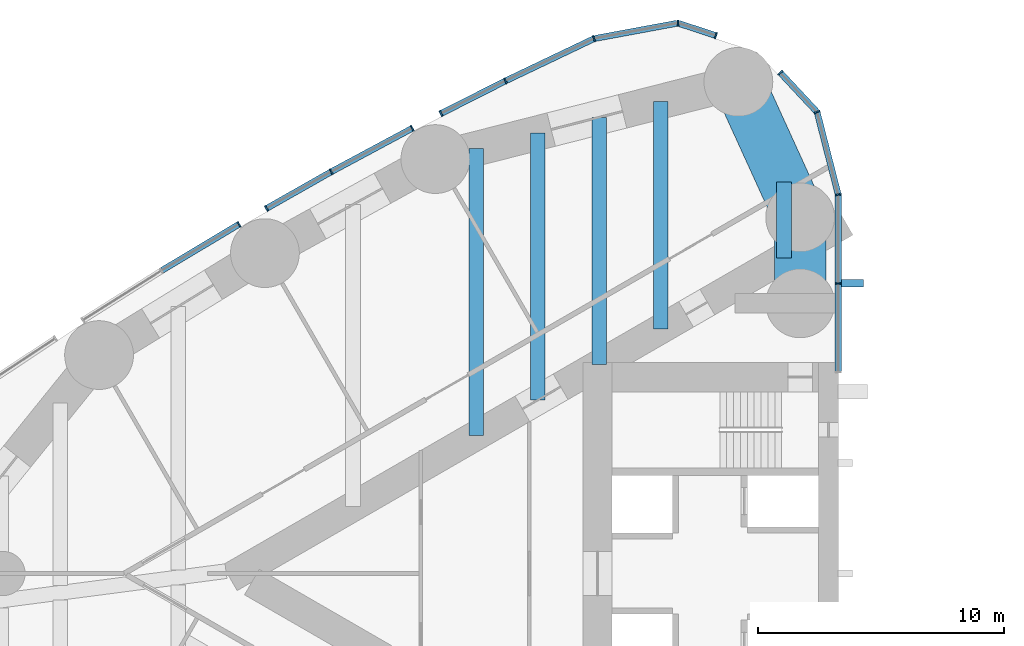
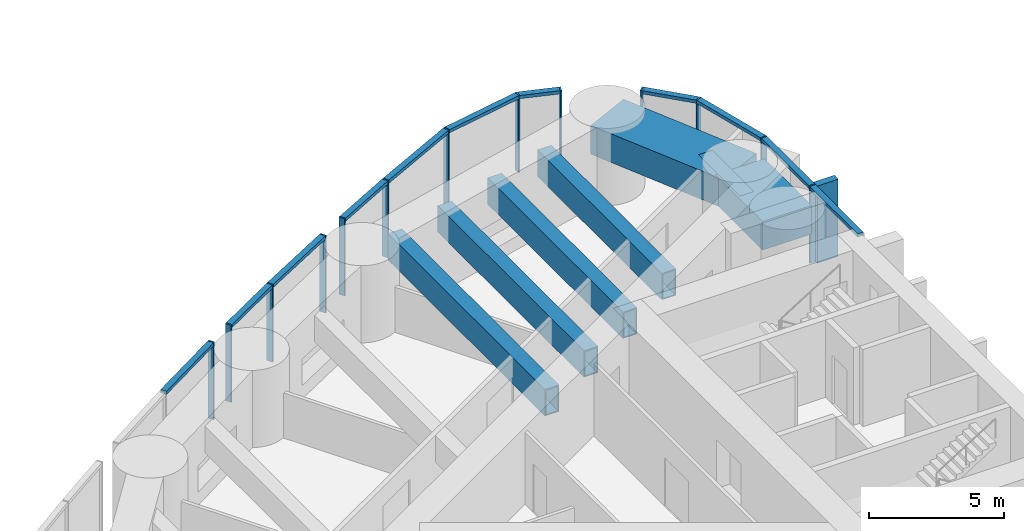
# One storey, part 5 of 17: 25 members, 7 beams, 4 elements without a shape of their own.
"""IFC4 building model written with IfcOpenShell, lengths in metres."""

from ifc_helpers import new_model, si_unit, direction, frame, origin, origin_2d, place, context, subcontext, project, spatial, rectangle, hollow_rectangle, extrude, material, material_profile, profile_set, type_object, element, aggregate, save


model = new_model("IFC4")

# Units and contexts
model_context = context("Model", 3, precision=1e-05, world=origin(), true_north=direction((0.0, 1.0)))
body_context = subcontext(model_context, "Body", "Model", "MODEL_VIEW")
ifc_project = project(units=[si_unit("LENGTHUNIT", "METRE"), si_unit("AREAUNIT", "SQUARE_METRE"), si_unit("VOLUMEUNIT", "CUBIC_METRE"), si_unit("PLANEANGLEUNIT", "RADIAN"), si_unit("MASSUNIT", "GRAM", prefix="KILO")], contexts=[model_context])

# Site, building, storey
site_placement = place(None, origin())
site = spatial("IfcSite", under=ifc_project, at=site_placement, CompositionType="ELEMENT")
building_placement = place(site_placement, origin())
building = spatial("IfcBuilding", under=site, at=building_placement, Name="Lancet Gate Hotel", CompositionType="ELEMENT")
storey_placement = place(building_placement, frame((0.0, 0.0, 201.800048828125)))
storey = spatial("IfcBuildingStorey", under=building, at=storey_placement, Name="L54", CompositionType="ELEMENT", Elevation=201.800048828125)

# Curtain wall, members
ifc_material_1 = material(Name="Aluminium curtain wall", Category="aluminium")
curtain_wall_type = type_object("IfcCurtainWallType", Name="Tower unitised curtain wall", PredefinedType="USERDEFINED", material=ifc_material_1)
curtain_wall_1_placement = place(storey_placement, origin())
curtain_wall_1 = element("IfcCurtainWall", 1, at=curtain_wall_1_placement, inside=storey, type_object=curtain_wall_type, Name="T1 L54 curtain wall 1", ObjectType="UNITISED CURTAIN WALL", PredefinedType="USERDEFINED")
ifc_material_2 = material(Name="Aluminium mullion", Category="aluminium")
ifc_material_profile_1 = material_profile(ifc_material_2, rectangle(XDim=0.06494140625, YDim=0.25, at=origin_2d()), Name="MULLION 65x250")
ifc_profile_set_1 = profile_set([ifc_material_profile_1], Name="Aluminium mullion")
member_type_1 = type_object("IfcMemberType", Name="Aluminium mullion 65x250", PredefinedType="MULLION", material=ifc_profile_set_1)
member_1_placement = place(storey_placement, frame((-27.5, 11.811767578125, 0.0), z_axis=(0.0, 0.0, 1.0), x_axis=(0.0, 1.0, 0.0)))
member_1 = element("IfcMember", 2, at=member_1_placement, type_object=member_type_1, Name="T1 L54 curtain wall 1 mullion 2", PredefinedType="MULLION", context=body_context, shape_type="SweptSolid", body=[
    extrude(rectangle(XDim=0.06494140625, YDim=0.25, at=origin_2d()), origin(), (0.0, 0.0, 1.0), 3.5),
])
member_2_placement = place(storey_placement, frame((-27.5, 15.42333984375, 0.0), z_axis=(0.0, 0.0, 1.0), x_axis=(-0.122467472845, 0.992472527627, 0.0)))
member_2 = element("IfcMember", 3, at=member_2_placement, type_object=member_type_1, Name="T1 L54 curtain wall 1 mullion 3", PredefinedType="MULLION", context=body_context, shape_type="SweptSolid", body=[
    extrude(rectangle(XDim=0.06494140625, YDim=0.25, at=origin_2d()), origin(), (0.0, 0.0, 1.0), 3.5),
])
member_3_placement = place(storey_placement, frame((-28.360595703125, 18.7861328125, 0.0), z_axis=(0.0, 0.0, 1.0), x_axis=(-0.429049841875, 0.90328081635, 0.0)))
member_3 = element("IfcMember", 4, at=member_3_placement, type_object=member_type_1, Name="T1 L54 curtain wall 1 mullion 4", PredefinedType="MULLION", context=body_context, shape_type="SweptSolid", body=[
    extrude(rectangle(XDim=0.06494140625, YDim=0.25, at=origin_2d()), origin(), (0.0, 0.0, 1.0), 3.5),
])
member_4_placement = place(storey_placement, frame((-29.8583984375, 20.388671875, 0.0), z_axis=(0.0, 0.0, 1.0), x_axis=(-0.682844962172, 0.730563315282, 0.0)))
member_4 = element("IfcMember", 5, at=member_4_placement, type_object=member_type_1, Name="T1 L54 curtain wall 1 mullion 5", PredefinedType="MULLION", context=body_context, shape_type="SweptSolid", body=[
    extrude(rectangle(XDim=0.06494140625, YDim=0.25, at=origin_2d()), origin(), (0.0, 0.0, 1.0), 3.5),
])

curtain_wall_2_placement = place(storey_placement, origin())
curtain_wall_2 = element("IfcCurtainWall", 6, at=curtain_wall_2_placement, inside=storey, type_object=curtain_wall_type, Name="T1 L54 curtain wall 2", ObjectType="UNITISED CURTAIN WALL", PredefinedType="USERDEFINED")
member_5_placement = place(storey_placement, frame((-32.481689453125, 21.8984375, 0.0), z_axis=(0.0, 0.0, 1.0), x_axis=(-0.949848055084, 0.312711803827, 0.0)))
member_5 = element("IfcMember", 7, at=member_5_placement, type_object=member_type_1, Name="T1 L54 curtain wall 2 mullion 1", PredefinedType="MULLION", context=body_context, shape_type="SweptSolid", body=[
    extrude(rectangle(XDim=0.06494140625, YDim=0.25, at=origin_2d()), origin(), (0.0, 0.0, 1.0), 3.5),
])
member_6_placement = place(storey_placement, frame((-34.02783203125, 22.407470703125, 0.0), z_axis=(0.0, 0.0, 1.0), x_axis=(-0.99969339569, -0.024761151312, 0.0)))
member_6 = element("IfcMember", 8, at=member_6_placement, type_object=member_type_1, Name="T1 L54 curtain wall 2 mullion 2", PredefinedType="MULLION", context=body_context, shape_type="SweptSolid", body=[
    extrude(rectangle(XDim=0.06494140625, YDim=0.25, at=origin_2d()), origin(), (0.0, 0.0, 1.0), 3.5),
])
member_7_placement = place(storey_placement, frame((-37.44091796875, 21.775634765625, 0.0), z_axis=(0.0, 0.0, 1.0), x_axis=(-0.948119321052, -0.317914694609, 0.0)))
member_7 = element("IfcMember", 9, at=member_7_placement, type_object=member_type_1, Name="T1 L54 curtain wall 2 mullion 3", PredefinedType="MULLION", context=body_context, shape_type="SweptSolid", body=[
    extrude(rectangle(XDim=0.06494140625, YDim=0.25, at=origin_2d()), origin(), (0.0, 0.0, 1.0), 3.5),
])
member_8_placement = place(storey_placement, frame((-41.0498046875, 20.052978515625, 0.0), z_axis=(0.0, 0.0, 1.0), x_axis=(-0.898114902915, -0.439760868156, 0.0)))
member_8 = element("IfcMember", 10, at=member_8_placement, type_object=member_type_1, Name="T1 L54 curtain wall 2 mullion 4", PredefinedType="MULLION", context=body_context, shape_type="SweptSolid", body=[
    extrude(rectangle(XDim=0.06494140625, YDim=0.25, at=origin_2d()), origin(), (0.0, 0.0, 1.0), 3.5),
])
member_9_placement = place(storey_placement, frame((-43.6728515625, 18.72412109375, 0.0), z_axis=(0.0, 0.0, 1.0), x_axis=(-0.892071119911, -0.451895028762, 0.0)))
member_9 = element("IfcMember", 11, at=member_9_placement, type_object=member_type_1, Name="T1 L54 curtain wall 2 mullion 5", PredefinedType="MULLION", context=body_context, shape_type="SweptSolid", body=[
    extrude(rectangle(XDim=0.06494140625, YDim=0.25, at=origin_2d()), origin(), (0.0, 0.0, 1.0), 3.5),
])

curtain_wall_3_placement = place(storey_placement, origin())
curtain_wall_3 = element("IfcCurtainWall", 12, at=curtain_wall_3_placement, inside=storey, type_object=curtain_wall_type, Name="T1 L54 curtain wall 3", ObjectType="UNITISED CURTAIN WALL", PredefinedType="USERDEFINED")
member_10_placement = place(storey_placement, frame((-44.8447265625, 18.123779296875, 0.0), z_axis=(0.0, 0.0, 1.0), x_axis=(-0.881195096384, -0.472752791751, 0.0)))
member_10 = element("IfcMember", 13, at=member_10_placement, type_object=member_type_1, Name="T1 L54 curtain wall 3 mullion 1", PredefinedType="MULLION", context=body_context, shape_type="SweptSolid", body=[
    extrude(rectangle(XDim=0.06494140625, YDim=0.25, at=origin_2d()), origin(), (0.0, 0.0, 1.0), 3.5),
])
member_11_placement = place(storey_placement, frame((-48.140869140625, 16.355224609375, 0.0), z_axis=(0.0, 0.0, 1.0), x_axis=(-0.876172978452, -0.481996796494, 0.0)))
member_11 = element("IfcMember", 14, at=member_11_placement, type_object=member_type_1, Name="T1 L54 curtain wall 3 mullion 2", PredefinedType="MULLION", context=body_context, shape_type="SweptSolid", body=[
    extrude(rectangle(XDim=0.06494140625, YDim=0.25, at=origin_2d()), origin(), (0.0, 0.0, 1.0), 3.5),
])
member_12_placement = place(storey_placement, frame((-50.7734375, 14.8623046875, 0.0), z_axis=(0.0, 0.0, 1.0), x_axis=(-0.869831477496, -0.493348964484, 0.0)))
member_12 = element("IfcMember", 15, at=member_12_placement, type_object=member_type_1, Name="T1 L54 curtain wall 3 mullion 3", PredefinedType="MULLION", context=body_context, shape_type="SweptSolid", body=[
    extrude(rectangle(XDim=0.06494140625, YDim=0.25, at=origin_2d()), origin(), (0.0, 0.0, 1.0), 3.5),
])

# Curtain wall, member
curtain_wall_4_placement = place(storey_placement, origin())
curtain_wall_4 = element("IfcCurtainWall", 16, at=curtain_wall_4_placement, inside=storey, type_object=curtain_wall_type, Name="T1 L54 curtain wall 4", ObjectType="UNITISED CURTAIN WALL", PredefinedType="USERDEFINED")
member_13_placement = place(storey_placement, frame((-51.895751953125, 14.217041015625, 0.0), z_axis=(0.0, 0.0, 1.0), x_axis=(-0.857986551132, -0.51367215038, 0.0)))
member_13 = element("IfcMember", 17, at=member_13_placement, type_object=member_type_1, Name="T1 L54 curtain wall 4 mullion 1", PredefinedType="MULLION", context=body_context, shape_type="SweptSolid", body=[
    extrude(rectangle(XDim=0.06494140625, YDim=0.25, at=origin_2d()), origin(), (0.0, 0.0, 1.0), 3.5),
])

# Member
ifc_material_3 = material(Name="Aluminium transom", Category="aluminium")
ifc_material_profile_2 = material_profile(ifc_material_3, rectangle(XDim=0.25, YDim=0.14990234375, at=origin_2d()), Name="TRANSOM 250x150")
ifc_profile_set_2 = profile_set([ifc_material_profile_2], Name="Aluminium transom")
member_type_2 = type_object("IfcMemberType", Name="Aluminium transom 250x150", PredefinedType="USERDEFINED", material=ifc_profile_set_2)
member_14_placement = place(storey_placement, frame((-27.5, 8.232421875, 3.425048828125), z_axis=(0.0, 1.0, 0.0), x_axis=(-1.0, 0.0, 0.0)))
member_14 = element("IfcMember", 18, at=member_14_placement, type_object=member_type_2, Name="T1 L54 curtain wall 1 transom 1", ObjectType="TRANSOM", PredefinedType="USERDEFINED", context=body_context, shape_type="SweptSolid", body=[
    extrude(rectangle(XDim=0.25, YDim=0.14990234375, at=origin_2d()), origin(), (0.0, 0.0, 1.0), 3.546875),
])

member_15_placement = place(storey_placement, frame((-27.5, 11.84423828125, 3.425048828125), z_axis=(0.0, 1.0, 0.0), x_axis=(-1.0, 0.0, 0.0)))
member_15 = element("IfcMember", 19, at=member_15_placement, type_object=member_type_2, Name="T1 L54 curtain wall 1 transom 2", ObjectType="TRANSOM", PredefinedType="USERDEFINED", context=body_context, shape_type="SweptSolid", body=[
    extrude(rectangle(XDim=0.25, YDim=0.14990234375, at=origin_2d()), origin(), (0.0, 0.0, 1.0), 3.546630859375),
])

member_16_placement = place(storey_placement, frame((-27.508056640625, 15.454833984375, 3.425048828125), z_axis=(-0.247928683912, 0.968778286139, 0.0), x_axis=(-0.968778286139, -0.247928683912, 0.0)))
member_16 = element("IfcMember", 20, at=member_16_placement, type_object=member_type_2, Name="T1 L54 curtain wall 1 transom 3", ObjectType="TRANSOM", PredefinedType="USERDEFINED", context=body_context, shape_type="SweptSolid", body=[
    extrude(rectangle(XDim=0.25, YDim=0.14990234375, at=origin_2d()), origin(), (0.0, 0.0, 1.0), 3.40625),
])

member_17_placement = place(storey_placement, frame((-28.3828125, 18.809814453125, 3.425048828125), z_axis=(-0.682845284953, 0.730563013584, 0.0), x_axis=(-0.730563013584, -0.682845284953, 0.0)))
member_17 = element("IfcMember", 21, at=member_17_placement, type_object=member_type_2, Name="T1 L54 curtain wall 1 transom 4", ObjectType="TRANSOM", PredefinedType="USERDEFINED", context=body_context, shape_type="SweptSolid", body=[
    extrude(rectangle(XDim=0.25, YDim=0.14990234375, at=origin_2d()), origin(), (0.0, 0.0, 1.0), 2.12841796875),
])

member_18_placement = place(storey_placement, frame((-32.5126953125, 21.908447265625, 3.425048828125), z_axis=(-0.949833005468, 0.312757512656, 0.0), x_axis=(-0.312757512656, -0.949833005468, 0.0)))
member_18 = element("IfcMember", 22, at=member_18_placement, type_object=member_type_2, Name="T1 L54 curtain wall 2 transom 1", ObjectType="TRANSOM", PredefinedType="USERDEFINED", context=body_context, shape_type="SweptSolid", body=[
    extrude(rectangle(XDim=0.25, YDim=0.14990234375, at=origin_2d()), origin(), (0.0, 0.0, 1.0), 1.562744140625),
])

member_19_placement = place(storey_placement, frame((-34.059814453125, 22.401611328125, 3.425048828125), z_axis=(-0.983286757871, -0.182063592724, 0.0), x_axis=(0.182063592724, -0.983286757871, 0.0)))
member_19 = element("IfcMember", 23, at=member_19_placement, type_object=member_type_2, Name="T1 L54 curtain wall 2 transom 2", ObjectType="TRANSOM", PredefinedType="USERDEFINED", context=body_context, shape_type="SweptSolid", body=[
    extrude(rectangle(XDim=0.25, YDim=0.14990234375, at=origin_2d()), origin(), (0.0, 0.0, 1.0), 3.406005859375),
])

member_20_placement = place(storey_placement, frame((-37.47021484375, 21.761474609375, 3.425048828125), z_axis=(-0.902468975385, -0.430754858902, 0.0), x_axis=(0.430754858902, -0.902468975385, 0.0)))
member_20 = element("IfcMember", 24, at=member_20_placement, type_object=member_type_2, Name="T1 L54 curtain wall 2 transom 3", ObjectType="TRANSOM", PredefinedType="USERDEFINED", context=body_context, shape_type="SweptSolid", body=[
    extrude(rectangle(XDim=0.25, YDim=0.14990234375, at=origin_2d()), origin(), (0.0, 0.0, 1.0), 3.93408203125),
])

member_21_placement = place(storey_placement, frame((-41.078857421875, 20.0380859375, 3.425048828125), z_axis=(-0.892071375921, -0.451894523382, 0.0), x_axis=(0.451894523382, -0.892071375921, 0.0)))
member_21 = element("IfcMember", 25, at=member_21_placement, type_object=member_type_2, Name="T1 L54 curtain wall 2 transom 4", ObjectType="TRANSOM", PredefinedType="USERDEFINED", context=body_context, shape_type="SweptSolid", body=[
    extrude(rectangle(XDim=0.25, YDim=0.14990234375, at=origin_2d()), origin(), (0.0, 0.0, 1.0), 2.875244140625),
])

aggregate(curtain_wall_2, [member_5, member_6, member_7, member_8, member_9, member_18, member_19, member_20, member_21])

member_22_placement = place(storey_placement, frame((-44.873291015625, 18.1083984375, 3.425048828125), z_axis=(-0.881184564391, -0.472772422502, 0.0), x_axis=(0.472772422502, -0.881184564391, 0.0)))
member_22 = element("IfcMember", 26, at=member_22_placement, type_object=member_type_2, Name="T1 L54 curtain wall 3 transom 1", ObjectType="TRANSOM", PredefinedType="USERDEFINED", context=body_context, shape_type="SweptSolid", body=[
    extrude(rectangle(XDim=0.25, YDim=0.14990234375, at=origin_2d()), origin(), (0.0, 0.0, 1.0), 3.67578125),
])

member_23_placement = place(storey_placement, frame((-48.169189453125, 16.33935546875, 3.425048828125), z_axis=(-0.869806404076, -0.493393169216, 0.0), x_axis=(0.493393169216, -0.869806404076, 0.0)))
member_23 = element("IfcMember", 27, at=member_23_placement, type_object=member_type_2, Name="T1 L54 curtain wall 3 transom 2", ObjectType="TRANSOM", PredefinedType="USERDEFINED", context=body_context, shape_type="SweptSolid", body=[
    extrude(rectangle(XDim=0.25, YDim=0.14990234375, at=origin_2d()), origin(), (0.0, 0.0, 1.0), 2.96142578125),
])

aggregate(curtain_wall_3, [member_10, member_11, member_12, member_22, member_23])

member_24_placement = place(storey_placement, frame((-51.923583984375, 14.200439453125, 3.425048828125), z_axis=(-0.857963732288, -0.513710262774, 0.0), x_axis=(0.513710262774, -0.857963732288, 0.0)))
member_24 = element("IfcMember", 28, at=member_24_placement, type_object=member_type_2, Name="T1 L54 curtain wall 4 transom 1", ObjectType="TRANSOM", PredefinedType="USERDEFINED", context=body_context, shape_type="SweptSolid", body=[
    extrude(rectangle(XDim=0.25, YDim=0.14990234375, at=origin_2d()), origin(), (0.0, 0.0, 1.0), 3.61181640625),
])

aggregate(curtain_wall_4, [member_13, member_24])

ifc_material_4 = material(Name="Precast concrete C50/60", Category="concrete")
ifc_material_profile_3 = material_profile(ifc_material_4, rectangle(XDim=0.300048828125, YDim=0.89990234375, at=origin_2d()), Name="FIN 300x900")
ifc_profile_set_3 = profile_set([ifc_material_profile_3], Name="Precast concrete C50/60")
member_type_3 = type_object("IfcMemberType", Name="Exposed concrete fin 300x900", PredefinedType="USERDEFINED", material=ifc_profile_set_3)
member_25_placement = place(storey_placement, frame((-26.925048828125, 11.811767578125, 0.0), z_axis=(0.0, 0.0, 1.0), x_axis=(0.0, 1.0, 0.0)))
member_25 = element("IfcMember", 29, at=member_25_placement, type_object=member_type_3, Name="T1 L54 curtain wall 1 fin 2", ObjectType="FIN", PredefinedType="USERDEFINED", context=body_context, shape_type="SweptSolid", body=[
    extrude(rectangle(XDim=0.300048828125, YDim=0.89990234375, at=origin_2d()), origin(), (0.0, 0.0, 1.0), 3.5),
])

aggregate(curtain_wall_1, [member_1, member_25, member_2, member_3, member_4, member_14, member_15, member_16, member_17])

# Beams
ifc_material_5 = material(Name="Steel S460QL", Category="steel")
ifc_material_profile_4 = material_profile(ifc_material_5, hollow_rectangle(XDim=0.60009765625, YDim=1.199951171875, WallThickness=0.050048828125, at=origin_2d()), Name="BOX 1200x600x50")
ifc_profile_set_4 = profile_set([ifc_material_profile_4], Name="Steel S460QL")
beam_type_1 = type_object("IfcBeamType", Name="Refuge floor beam BOX 1200x600x50", PredefinedType="BEAM", material=ifc_profile_set_4)
beam_1_placement = place(storey_placement, frame((-29.706787109375, 15.940185546875, 2.64990234375), z_axis=(0.0, -1.0, 0.0), x_axis=(1.0, 0.0, 0.0)))
element("IfcBeam", 30, at=beam_1_placement, inside=storey, type_object=beam_type_1, Name="T1 floor beam F01S L54", PredefinedType="BEAM", context=body_context, shape_type="SweptSolid", body=[
    extrude(hollow_rectangle(XDim=0.60009765625, YDim=1.199951171875, WallThickness=0.050048828125, at=origin_2d()), origin(), (0.0, 0.0, 1.0), 3.087646484375),
])
beam_2_placement = place(storey_placement, frame((-34.720458984375, 19.211669921875, 2.64990234375), z_axis=(0.0, -1.0, 0.0), x_axis=(1.0, 0.0, 0.0)))
element("IfcBeam", 31, at=beam_2_placement, inside=storey, type_object=beam_type_1, Name="T1 floor beam F03S L54", PredefinedType="BEAM", context=body_context, shape_type="SweptSolid", body=[
    extrude(hollow_rectangle(XDim=0.60009765625, YDim=1.199951171875, WallThickness=0.050048828125, at=origin_2d()), origin(), (0.0, 0.0, 1.0), 9.253662109375),
])
beam_3_placement = place(storey_placement, frame((-37.227294921875, 18.572509765625, 2.64990234375), z_axis=(0.0, -1.0, 0.0), x_axis=(1.0, 0.0, 0.0)))
element("IfcBeam", 32, at=beam_3_placement, inside=storey, type_object=beam_type_1, Name="T1 floor beam F04S L54", PredefinedType="BEAM", context=body_context, shape_type="SweptSolid", body=[
    extrude(hollow_rectangle(XDim=0.60009765625, YDim=1.199951171875, WallThickness=0.050048828125, at=origin_2d()), origin(), (0.0, 0.0, 1.0), 10.061767578125),
])
beam_4_placement = place(storey_placement, frame((-39.734130859375, 17.93359375, 2.64990234375), z_axis=(0.0, -1.0, 0.0), x_axis=(1.0, 0.0, 0.0)))
element("IfcBeam", 33, at=beam_4_placement, inside=storey, type_object=beam_type_1, Name="T1 floor beam F06S L54", PredefinedType="BEAM", context=body_context, shape_type="SweptSolid", body=[
    extrude(hollow_rectangle(XDim=0.60009765625, YDim=1.199951171875, WallThickness=0.050048828125, at=origin_2d()), origin(), (0.0, 0.0, 1.0), 10.8701171875),
])
beam_5_placement = place(storey_placement, frame((-42.240966796875, 17.29443359375, 2.64990234375), z_axis=(0.0, -1.0, 0.0), x_axis=(1.0, 0.0, 0.0)))
element("IfcBeam", 34, at=beam_5_placement, inside=storey, type_object=beam_type_1, Name="T1 floor beam F07S L54", PredefinedType="BEAM", context=body_context, shape_type="SweptSolid", body=[
    extrude(hollow_rectangle(XDim=0.60009765625, YDim=1.199951171875, WallThickness=0.050048828125, at=origin_2d()), origin(), (0.0, 0.0, 1.0), 11.678466796875),
])
ifc_material_6 = material(Name="Concrete C50/60", Category="concrete")
ifc_material_profile_5 = material_profile(ifc_material_6, rectangle(XDim=2.10009765625, YDim=1.300048828125, at=origin_2d()), Name="RC 2100x1300")
ifc_profile_set_5 = profile_set([ifc_material_profile_5], Name="Concrete C50/60")
beam_type_2 = type_object("IfcBeamType", Name="Tie ring beam RC 2100x1300", PredefinedType="SPANDREL", material=ifc_profile_set_5)
beam_6_placement = place(storey_placement, frame((-31.5654296875, 20.015869140625, 2.599853515625), z_axis=(0.414919206993, -0.909858259109, 0.0), x_axis=(0.909858259109, 0.414919206993, 0.0)))
element("IfcBeam", 35, at=beam_6_placement, inside=storey, type_object=beam_type_2, Name="T1 tie ring beam RG2 L54", PredefinedType="SPANDREL", context=body_context, shape_type="SweptSolid", body=[
    extrude(rectangle(XDim=2.10009765625, YDim=1.300048828125, at=origin_2d()), origin(), (0.0, 0.0, 1.0), 6.062255859375),
])
beam_7_placement = place(storey_placement, frame((-29.050048828125, 14.5, 2.599853515625), z_axis=(0.0, -1.0, 0.0), x_axis=(1.0, 0.0, 0.0)))
element("IfcBeam", 36, at=beam_7_placement, inside=storey, type_object=beam_type_2, Name="T1 tie ring beam RG2 L54", PredefinedType="SPANDREL", context=body_context, shape_type="SweptSolid", body=[
    extrude(rectangle(XDim=2.10009765625, YDim=1.300048828125, at=origin_2d()), origin(), (0.0, 0.0, 1.0), 3.5),
])

save(model, "model.ifc")
